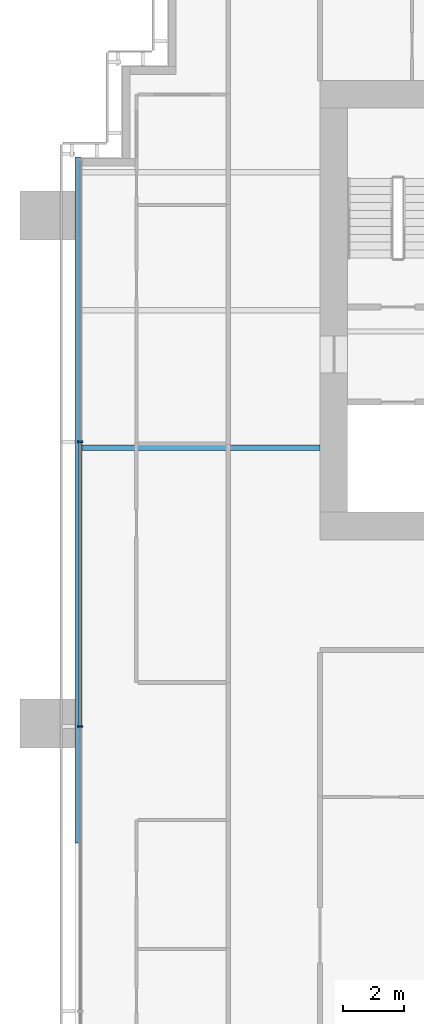
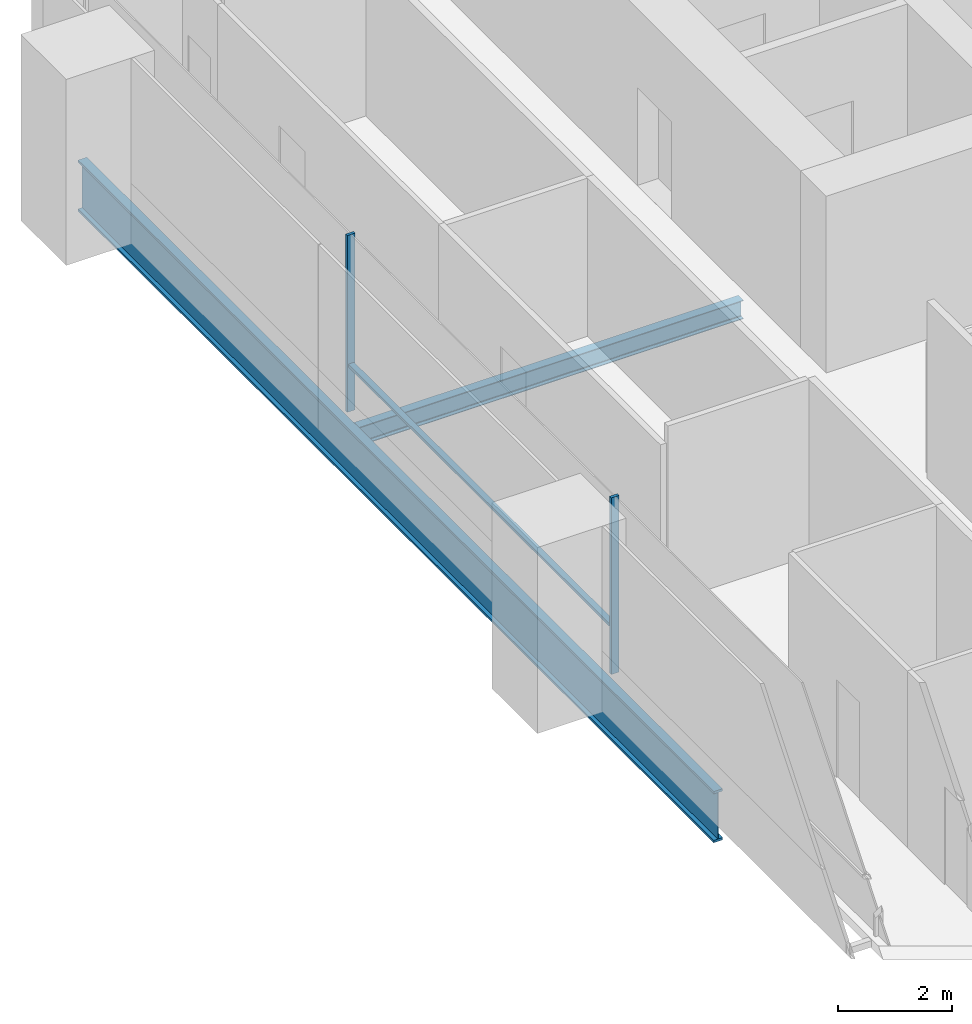
# One storey, part 4 of 19: 3 members, 2 beams, 1 element without a shape of its own.
"""IFC4 building model written with IfcOpenShell, lengths in metres."""

from ifc_helpers import new_model, si_unit, direction, frame, origin, origin_2d, place, context, subcontext, project, spatial, rectangle, i_section, extrude, material, material_profile, profile_set, type_object, element, aggregate, save


model = new_model("IFC4")

# Units and contexts
model_context = context("Model", 3, precision=1e-05, world=origin(), true_north=direction((0.0, 1.0)))
body_context = subcontext(model_context, "Body", "Model", "MODEL_VIEW")
ifc_project = project(units=[si_unit("LENGTHUNIT", "METRE"), si_unit("AREAUNIT", "SQUARE_METRE"), si_unit("VOLUMEUNIT", "CUBIC_METRE"), si_unit("PLANEANGLEUNIT", "RADIAN"), si_unit("MASSUNIT", "GRAM", prefix="KILO")], contexts=[model_context])

# Site, building, storey
site_placement = place(None, origin())
site = spatial("IfcSite", under=ifc_project, at=site_placement, CompositionType="ELEMENT")
building_placement = place(site_placement, origin())
building = spatial("IfcBuilding", under=site, at=building_placement, Name="Rattan Terrace Tower", CompositionType="ELEMENT")
storey_placement = place(building_placement, frame((0.0, 0.0, 111.699951171875)))
storey = spatial("IfcBuildingStorey", under=building, at=storey_placement, Name="L25", CompositionType="ELEMENT", Elevation=111.699951171875)

# Curtain wall, members
ifc_material_1 = material(Name="Aluminium and glass", Category="aluminium")
curtain_wall_type = type_object("IfcCurtainWallType", Name="Facade Unitised Curtain Wall", PredefinedType="NOTDEFINED", material=ifc_material_1)
curtain_wall_placement = place(storey_placement, origin())
curtain_wall = element("IfcCurtainWall", 1, at=curtain_wall_placement, inside=storey, type_object=curtain_wall_type, Name="Curtain wall L25-3", PredefinedType="NOTDEFINED")
ifc_material_2 = material(Name="Aluminium", Category="aluminium")
ifc_material_profile_1 = material_profile(ifc_material_2, rectangle(XDim=0.06005859375, YDim=0.159912109375, at=origin_2d()), Name="Aluminium 60x160")
ifc_profile_set_1 = profile_set([ifc_material_profile_1], Name="Aluminium")
member_type_1 = type_object("IfcMemberType", Name="Facade CW Mullion 60x160", PredefinedType="MULLION", material=ifc_profile_set_1)
member_1_placement = place(storey_placement, frame((-25.830078125, -4.300048828125, 0.0), z_axis=(0.0, 0.0, 1.0), x_axis=(0.0, -1.0, 0.0)))
member_1 = element("IfcMember", 2, at=member_1_placement, type_object=member_type_1, Name="Mullion cwl-L25-003.2", PredefinedType="MULLION", context=body_context, shape_type="SweptSolid", body=[
    extrude(rectangle(XDim=0.06005859375, YDim=0.159912109375, at=origin_2d()), origin(), (0.0, 0.0, 1.0), 3.800048828125),
])
member_2_placement = place(storey_placement, frame((-25.830078125, -13.60009765625, 0.0), z_axis=(0.0, 0.0, 1.0), x_axis=(0.0, -1.0, 0.0)))
member_2 = element("IfcMember", 3, at=member_2_placement, type_object=member_type_1, Name="Mullion cwl-L25-003.3", PredefinedType="MULLION", context=body_context, shape_type="SweptSolid", body=[
    extrude(rectangle(XDim=0.06005859375, YDim=0.159912109375, at=origin_2d()), origin(), (0.0, 0.0, 1.0), 3.800048828125),
])
ifc_material_3 = material(Name="Aluminium", Category="aluminium")
ifc_material_profile_2 = material_profile(ifc_material_3, rectangle(XDim=0.1201171875, YDim=0.06005859375, at=origin_2d()), Name="Aluminium 120x60")
ifc_profile_set_2 = profile_set([ifc_material_profile_2], Name="Aluminium")
member_type_2 = type_object("IfcMemberType", Name="Facade CW Transom 120x60", PredefinedType="USERDEFINED", material=ifc_profile_set_2)
member_3_placement = place(storey_placement, frame((-25.830078125, -4.330078125, 1.0), z_axis=(0.0, -1.0, 0.0), x_axis=(1.0, 0.0, 0.0)))
member_3 = element("IfcMember", 4, at=member_3_placement, type_object=member_type_2, Name="Transom cwl-L25-003.2", ObjectType="TRANSOM", PredefinedType="USERDEFINED", context=body_context, shape_type="SweptSolid", body=[
    extrude(rectangle(XDim=0.1201171875, YDim=0.06005859375, at=origin_2d()), origin(), (0.0, 0.0, 1.0), 9.239990234375),
])
aggregate(curtain_wall, [member_1, member_2, member_3])

# Beams
ifc_material_4 = material(Name="Steel S460", Category="steel")
ifc_material_profile_3 = material_profile(ifc_material_4, i_section(OverallWidth=0.179931640625, OverallDepth=1.10009765625, WebThickness=0.01611328125, FlangeThickness=0.050048828125, at=origin_2d()), Name="PG 1100x180-16-50")
ifc_profile_set_3 = profile_set([ifc_material_profile_3], Name="Steel S460")
beam_type_1 = type_object("IfcBeamType", Name="Frame edge girder PG 1100x180-16-50", PredefinedType="SPANDREL", material=ifc_profile_set_3)
beam_1_placement = place(storey_placement, frame((-25.909912109375, -17.39990234375, -0.75), z_axis=(0.0, 1.0, 0.0), x_axis=(-1.0, 0.0, 0.0)))
element("IfcBeam", 5, at=beam_1_placement, inside=storey, type_object=beam_type_1, Name="gdr-L25-004", PredefinedType="SPANDREL", context=body_context, shape_type="SweptSolid", body=[
    extrude(i_section(OverallWidth=0.179931640625, OverallDepth=1.10009765625, WebThickness=0.01611328125, FlangeThickness=0.050048828125, at=origin_2d()), origin(), (0.0, 0.0, 1.0), 22.39990234375),
])
ifc_material_5 = material(Name="Steel S355", Category="steel")
ifc_material_profile_4 = material_profile(ifc_material_5, i_section(OverallWidth=0.179931640625, OverallDepth=0.39990234375, WebThickness=0.008544921875, FlangeThickness=0.013427734375, FilletRadius=0.02099609375, at=origin_2d()), Name="IPE 400")
ifc_profile_set_4 = profile_set([ifc_material_profile_4], Name="Steel S355")
beam_type_2 = type_object("IfcBeamType", Name="Frame floor beam IPE 400", PredefinedType="JOIST", material=ifc_profile_set_4)
beam_2_placement = place(storey_placement, frame((-25.820068359375, -4.5, -0.39990234375), z_axis=(1.0, 0.0, 0.0), x_axis=(0.0, 1.0, 0.0)))
element("IfcBeam", 6, at=beam_2_placement, inside=storey, type_object=beam_type_2, Name="bm-L25-012", PredefinedType="JOIST", context=body_context, shape_type="SweptSolid", body=[
    extrude(i_section(OverallWidth=0.179931640625, OverallDepth=0.39990234375, WebThickness=0.008544921875, FlangeThickness=0.013427734375, FilletRadius=0.02099609375, at=origin_2d()), origin(), (0.0, 0.0, 1.0), 7.820068359375),
])

save(model, "model.ifc")
